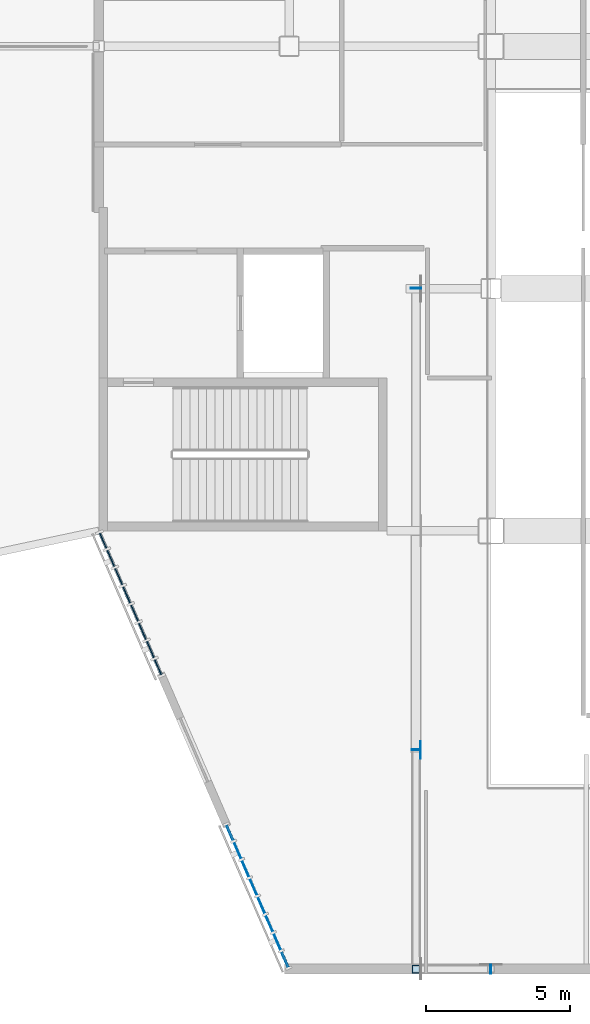
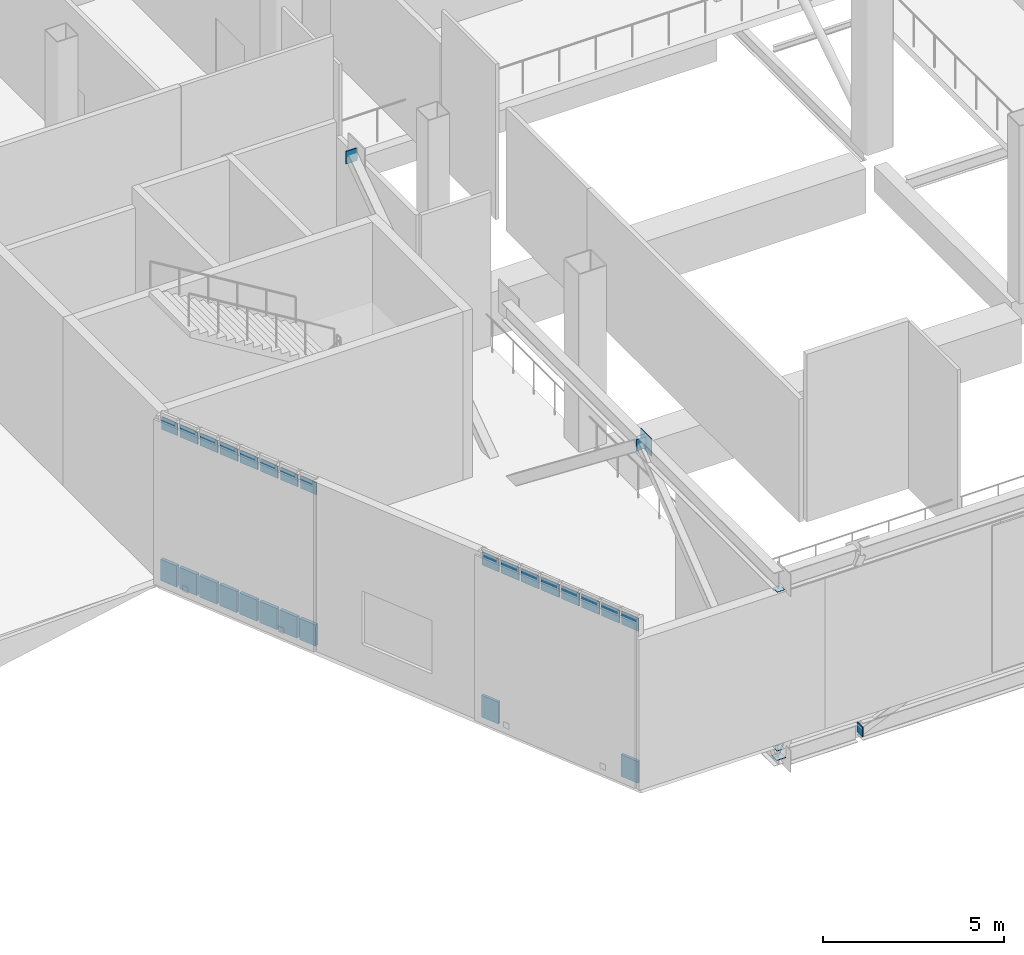
# One storey, part 89 of 135: 33 plates, 2 elements without a shape of their own.
"""IFC4 building model written with IfcOpenShell, lengths in metres."""

from ifc_helpers import new_model, si_unit, direction, frame, origin, origin_2d, place, context, subcontext, project, spatial, rectangle, extrude, material, layer, layer_set, type_object, element, aggregate, save


model = new_model("IFC4")

# Units and contexts
model_context = context("Model", 3, precision=1e-05, world=origin(), true_north=direction((0.0, 1.0)))
body_context = subcontext(model_context, "Body", "Model", "MODEL_VIEW")
ifc_project = project(units=[si_unit("LENGTHUNIT", "METRE"), si_unit("AREAUNIT", "SQUARE_METRE"), si_unit("VOLUMEUNIT", "CUBIC_METRE"), si_unit("PLANEANGLEUNIT", "RADIAN"), si_unit("MASSUNIT", "GRAM", prefix="KILO")], contexts=[model_context])

# Site, building, storey
site_placement = place(None, origin())
site = spatial("IfcSite", under=ifc_project, at=site_placement, CompositionType="ELEMENT")
building_placement = place(site_placement, origin())
building = spatial("IfcBuilding", under=site, at=building_placement, Name="Larkvane Passage Sports Hall", CompositionType="ELEMENT")
storey_placement = place(building_placement, frame((0.0, 0.0, 10.800048828125)))
storey = spatial("IfcBuildingStorey", under=building, at=storey_placement, Name="L02", CompositionType="ELEMENT", Elevation=10.800048828125)

# Curtain wall, plates
ifc_material_1 = material(Name="Thermally broken aluminium and low-E glazing", Category="aluminium")
curtain_wall_type_1 = type_object("IfcCurtainWallType", Name="CW-STICK-FOYER", PredefinedType="USERDEFINED", material=ifc_material_1)
curtain_wall_1_placement = place(storey_placement, origin())
curtain_wall_1 = element("IfcCurtainWall", 1, at=curtain_wall_1_placement, inside=storey, type_object=curtain_wall_type_1, Name="Curtain wall CW5-L02-074", ObjectType="STICK CURTAIN WALL", PredefinedType="USERDEFINED")
ifc_material_2 = material(Name="Fire-stopped shadow-box spandrel panel")
ifc_layer_1 = layer(ifc_material_2, 0.10498046875)
ifc_layer_set_1 = layer_set([ifc_layer_1], Name="Fire-stopped shadow-box spandrel panel")
plate_type_1 = type_object("IfcPlateType", Name="CWP-SPD-105", PredefinedType="CURTAIN_PANEL", material=ifc_layer_set_1)
plate_1_placement = place(storey_placement, frame((120.0537109375, 18.070068359375, 0.08984375), z_axis=(0.0, 0.0, 1.0), x_axis=(-0.398288959012, 0.917259998653, 0.0)))
plate_1 = element("IfcPlate", 2, at=plate_1_placement, type_object=plate_type_1, Name="CW-03 panel 1.1", PredefinedType="CURTAIN_PANEL", context=body_context, shape_type="SweptSolid", body=[
    extrude(rectangle(XDim=0.55419921875, YDim=0.10498046875, at=origin_2d()), origin(), (0.0, 0.0, 1.0), 0.715087890625),
])
plate_2_placement = place(storey_placement, frame((119.788330078125, 18.681396484375, 0.08984375), z_axis=(0.0, 0.0, 1.0), x_axis=(-0.398288959012, 0.917259998653, 0.0)))
plate_2 = element("IfcPlate", 3, at=plate_2_placement, type_object=plate_type_1, Name="CW-03 panel 2.1", PredefinedType="CURTAIN_PANEL", context=body_context, shape_type="SweptSolid", body=[
    extrude(rectangle(XDim=0.59912109375, YDim=0.10498046875, at=origin_2d()), origin(), (0.0, 0.0, 1.0), 0.715087890625),
])
plate_3_placement = place(storey_placement, frame((119.513916015625, 19.3134765625, 0.08984375), z_axis=(0.0, 0.0, 1.0), x_axis=(-0.398288959012, 0.917259998653, 0.0)))
plate_3 = element("IfcPlate", 4, at=plate_3_placement, type_object=plate_type_1, Name="CW-03 panel 3.1", PredefinedType="CURTAIN_PANEL", context=body_context, shape_type="SweptSolid", body=[
    extrude(rectangle(XDim=0.59912109375, YDim=0.10498046875, at=origin_2d()), origin(), (0.0, 0.0, 1.0), 0.715087890625),
])
plate_4_placement = place(storey_placement, frame((119.239501953125, 19.945556640625, 0.08984375), z_axis=(0.0, 0.0, 1.0), x_axis=(-0.398288959012, 0.917259998653, 0.0)))
plate_4 = element("IfcPlate", 5, at=plate_4_placement, type_object=plate_type_1, Name="CW-03 panel 4.1", PredefinedType="CURTAIN_PANEL", context=body_context, shape_type="SweptSolid", body=[
    extrude(rectangle(XDim=0.59912109375, YDim=0.10498046875, at=origin_2d()), origin(), (0.0, 0.0, 1.0), 0.715087890625),
])
plate_5_placement = place(storey_placement, frame((118.96484375, 20.57763671875, 0.08984375), z_axis=(0.0, 0.0, 1.0), x_axis=(-0.398288959012, 0.917259998653, 0.0)))
plate_5 = element("IfcPlate", 6, at=plate_5_placement, type_object=plate_type_1, Name="CW-03 panel 5.1", PredefinedType="CURTAIN_PANEL", context=body_context, shape_type="SweptSolid", body=[
    extrude(rectangle(XDim=0.59912109375, YDim=0.10498046875, at=origin_2d()), origin(), (0.0, 0.0, 1.0), 0.715087890625),
])
plate_6_placement = place(storey_placement, frame((118.6904296875, 21.209716796875, 0.08984375), z_axis=(0.0, 0.0, 1.0), x_axis=(-0.398288959012, 0.917259998653, 0.0)))
plate_6 = element("IfcPlate", 7, at=plate_6_placement, type_object=plate_type_1, Name="CW-03 panel 6.1", PredefinedType="CURTAIN_PANEL", context=body_context, shape_type="SweptSolid", body=[
    extrude(rectangle(XDim=0.59912109375, YDim=0.10498046875, at=origin_2d()), origin(), (0.0, 0.0, 1.0), 0.715087890625),
])
plate_7_placement = place(storey_placement, frame((118.416015625, 21.841796875, 0.08984375), z_axis=(0.0, 0.0, 1.0), x_axis=(-0.398288959012, 0.917259998653, 0.0)))
plate_7 = element("IfcPlate", 8, at=plate_7_placement, type_object=plate_type_1, Name="CW-03 panel 7.1", PredefinedType="CURTAIN_PANEL", context=body_context, shape_type="SweptSolid", body=[
    extrude(rectangle(XDim=0.59912109375, YDim=0.10498046875, at=origin_2d()), origin(), (0.0, 0.0, 1.0), 0.715087890625),
])
plate_8_placement = place(storey_placement, frame((118.150390625, 22.453369140625, 0.08984375), z_axis=(0.0, 0.0, 1.0), x_axis=(-0.398288959012, 0.917259998653, 0.0)))
plate_8 = element("IfcPlate", 9, at=plate_8_placement, type_object=plate_type_1, Name="CW-03 panel 8.1", PredefinedType="CURTAIN_PANEL", context=body_context, shape_type="SweptSolid", body=[
    extrude(rectangle(XDim=0.55419921875, YDim=0.10498046875, at=origin_2d()), origin(), (0.0, 0.0, 1.0), 0.715087890625),
])

curtain_wall_type_2 = type_object("IfcCurtainWallType", Name="CW-UNIT-VEIL", PredefinedType="USERDEFINED", material=ifc_material_1)
curtain_wall_2_placement = place(storey_placement, origin())
curtain_wall_2 = element("IfcCurtainWall", 10, at=curtain_wall_2_placement, inside=storey, type_object=curtain_wall_type_2, Name="Curtain wall CW5-L02-073", ObjectType="UNITISED CURTAIN WALL", PredefinedType="USERDEFINED")
ifc_material_3 = material(Name="Mineral-wool insulated spandrel cassette")
ifc_layer_2 = layer(ifc_material_3, 0.0849609375)
ifc_layer_set_2 = layer_set([ifc_layer_2], Name="Mineral-wool insulated spandrel cassette")
plate_type_2 = type_object("IfcPlateType", Name="CWP-SPD-85", PredefinedType="CURTAIN_PANEL", material=ifc_layer_set_2)
plate_9_placement = place(storey_placement, frame((124.455078125, 7.933837890625, 0.07470703125), z_axis=(0.0, 0.0, 1.0), x_axis=(-0.398282537261, 0.917262787053, 0.0)))
plate_9 = element("IfcPlate", 11, at=plate_9_placement, type_object=plate_type_2, Name="CW-02 panel 1.1", PredefinedType="CURTAIN_PANEL", context=body_context, shape_type="SweptSolid", body=[
    extrude(rectangle(XDim=0.577880859375, YDim=0.0849609375, at=origin_2d()), origin(), (0.0, 0.0, 1.0), 0.737548828125),
])
plate_10_placement = place(storey_placement, frame((122.544921875, 12.332763671875, 0.07470703125), z_axis=(0.0, 0.0, 1.0), x_axis=(-0.398282537261, 0.917262787053, 0.0)))
plate_10 = element("IfcPlate", 12, at=plate_10_placement, type_object=plate_type_2, Name="CW-02 panel 8.1", PredefinedType="CURTAIN_PANEL", context=body_context, shape_type="SweptSolid", body=[
    extrude(rectangle(XDim=0.577880859375, YDim=0.0849609375, at=origin_2d()), origin(), (0.0, 0.0, 1.0), 0.737548828125),
])
ifc_material_4 = material(Name="Laminated acoustic low-E glazing", Category="glass")
ifc_layer_3 = layer(ifc_material_4, 0.031982421875)
ifc_layer_set_3 = layer_set([ifc_layer_3], Name="Laminated acoustic low-E glazing")
plate_type_3 = type_object("IfcPlateType", Name="CWP-VIS-32", PredefinedType="CURTAIN_PANEL", material=ifc_layer_set_3)
plate_11_placement = place(storey_placement, frame((124.455078125, 7.933837890625, 5.1875), z_axis=(0.0, 0.0, 1.0), x_axis=(-0.398282537261, 0.917262787053, 0.0)))
plate_11 = element("IfcPlate", 13, at=plate_11_placement, type_object=plate_type_3, Name="CW-02 panel 1.3", PredefinedType="CURTAIN_PANEL", context=body_context, shape_type="SweptSolid", body=[
    extrude(rectangle(XDim=0.577880859375, YDim=0.031982421875, at=origin_2d()), origin(), (0.0, 0.0, 1.0), 0.4375),
])
plate_12_placement = place(storey_placement, frame((124.1875, 8.550048828125, 5.1875), z_axis=(0.0, 0.0, 1.0), x_axis=(-0.398282537261, 0.917262787053, 0.0)))
plate_12 = element("IfcPlate", 14, at=plate_12_placement, type_object=plate_type_3, Name="CW-02 panel 2.3", PredefinedType="CURTAIN_PANEL", context=body_context, shape_type="SweptSolid", body=[
    extrude(rectangle(XDim=0.615478515625, YDim=0.031982421875, at=origin_2d()), origin(), (0.0, 0.0, 1.0), 0.4375),
])
plate_13_placement = place(storey_placement, frame((123.91259765625, 9.183349609375, 5.1875), z_axis=(0.0, 0.0, 1.0), x_axis=(-0.398282537261, 0.917262787053, 0.0)))
plate_13 = element("IfcPlate", 15, at=plate_13_placement, type_object=plate_type_3, Name="CW-02 panel 3.3", PredefinedType="CURTAIN_PANEL", context=body_context, shape_type="SweptSolid", body=[
    extrude(rectangle(XDim=0.615478515625, YDim=0.031982421875, at=origin_2d()), origin(), (0.0, 0.0, 1.0), 0.4375),
])
plate_14_placement = place(storey_placement, frame((123.637451171875, 9.816650390625, 5.1875), z_axis=(0.0, 0.0, 1.0), x_axis=(-0.398282537261, 0.917262787053, 0.0)))
plate_14 = element("IfcPlate", 16, at=plate_14_placement, type_object=plate_type_3, Name="CW-02 panel 4.3", PredefinedType="CURTAIN_PANEL", context=body_context, shape_type="SweptSolid", body=[
    extrude(rectangle(XDim=0.615478515625, YDim=0.031982421875, at=origin_2d()), origin(), (0.0, 0.0, 1.0), 0.4375),
])
plate_15_placement = place(storey_placement, frame((123.362548828125, 10.449951171875, 5.1875), z_axis=(0.0, 0.0, 1.0), x_axis=(-0.398282537261, 0.917262787053, 0.0)))
plate_15 = element("IfcPlate", 17, at=plate_15_placement, type_object=plate_type_3, Name="CW-02 panel 5.3", PredefinedType="CURTAIN_PANEL", context=body_context, shape_type="SweptSolid", body=[
    extrude(rectangle(XDim=0.615478515625, YDim=0.031982421875, at=origin_2d()), origin(), (0.0, 0.0, 1.0), 0.4375),
])
plate_16_placement = place(storey_placement, frame((123.08740234375, 11.083251953125, 5.1875), z_axis=(0.0, 0.0, 1.0), x_axis=(-0.398282537261, 0.917262787053, 0.0)))
plate_16 = element("IfcPlate", 18, at=plate_16_placement, type_object=plate_type_3, Name="CW-02 panel 6.3", PredefinedType="CURTAIN_PANEL", context=body_context, shape_type="SweptSolid", body=[
    extrude(rectangle(XDim=0.615478515625, YDim=0.031982421875, at=origin_2d()), origin(), (0.0, 0.0, 1.0), 0.4375),
])
plate_17_placement = place(storey_placement, frame((122.8125, 11.716796875, 5.1875), z_axis=(0.0, 0.0, 1.0), x_axis=(-0.398282537261, 0.917262787053, 0.0)))
plate_17 = element("IfcPlate", 19, at=plate_17_placement, type_object=plate_type_3, Name="CW-02 panel 7.3", PredefinedType="CURTAIN_PANEL", context=body_context, shape_type="SweptSolid", body=[
    extrude(rectangle(XDim=0.615478515625, YDim=0.031982421875, at=origin_2d()), origin(), (0.0, 0.0, 1.0), 0.4375),
])
plate_18_placement = place(storey_placement, frame((122.544921875, 12.332763671875, 5.1875), z_axis=(0.0, 0.0, 1.0), x_axis=(-0.398282537261, 0.917262787053, 0.0)))
plate_18 = element("IfcPlate", 20, at=plate_18_placement, type_object=plate_type_3, Name="CW-02 panel 8.3", PredefinedType="CURTAIN_PANEL", context=body_context, shape_type="SweptSolid", body=[
    extrude(rectangle(XDim=0.577880859375, YDim=0.031982421875, at=origin_2d()), origin(), (0.0, 0.0, 1.0), 0.4375),
])
aggregate(curtain_wall_2, [plate_9, plate_11, plate_12, plate_13, plate_14, plate_15, plate_16, plate_17, plate_10, plate_18])

# Plate
ifc_material_5 = material(Name="High-impact court low-E glazing", Category="glass")
ifc_layer_4 = layer(ifc_material_5, 0.035888671875)
ifc_layer_set_4 = layer_set([ifc_layer_4], Name="High-impact court low-E glazing")
plate_type_4 = type_object("IfcPlateType", Name="CWP-VIS-36", PredefinedType="CURTAIN_PANEL", material=ifc_layer_set_4)
plate_19_placement = place(storey_placement, frame((120.0537109375, 18.070068359375, 5.175048828125), z_axis=(0.0, 0.0, 1.0), x_axis=(-0.398288959012, 0.917259998653, 0.0)))
plate_19 = element("IfcPlate", 21, at=plate_19_placement, type_object=plate_type_4, Name="CW-03 panel 1.3", PredefinedType="CURTAIN_PANEL", context=body_context, shape_type="SweptSolid", body=[
    extrude(rectangle(XDim=0.55419921875, YDim=0.035888671875, at=origin_2d()), origin(), (0.0, 0.0, 1.0), 0.4150390625),
])

plate_20_placement = place(storey_placement, frame((119.788330078125, 18.681396484375, 5.175048828125), z_axis=(0.0, 0.0, 1.0), x_axis=(-0.398288959012, 0.917259998653, 0.0)))
plate_20 = element("IfcPlate", 22, at=plate_20_placement, type_object=plate_type_4, Name="CW-03 panel 2.3", PredefinedType="CURTAIN_PANEL", context=body_context, shape_type="SweptSolid", body=[
    extrude(rectangle(XDim=0.59912109375, YDim=0.035888671875, at=origin_2d()), origin(), (0.0, 0.0, 1.0), 0.4150390625),
])

plate_21_placement = place(storey_placement, frame((119.513916015625, 19.3134765625, 5.175048828125), z_axis=(0.0, 0.0, 1.0), x_axis=(-0.398288959012, 0.917259998653, 0.0)))
plate_21 = element("IfcPlate", 23, at=plate_21_placement, type_object=plate_type_4, Name="CW-03 panel 3.3", PredefinedType="CURTAIN_PANEL", context=body_context, shape_type="SweptSolid", body=[
    extrude(rectangle(XDim=0.59912109375, YDim=0.035888671875, at=origin_2d()), origin(), (0.0, 0.0, 1.0), 0.4150390625),
])

plate_22_placement = place(storey_placement, frame((119.239501953125, 19.945556640625, 5.175048828125), z_axis=(0.0, 0.0, 1.0), x_axis=(-0.398288959012, 0.917259998653, 0.0)))
plate_22 = element("IfcPlate", 24, at=plate_22_placement, type_object=plate_type_4, Name="CW-03 panel 4.3", PredefinedType="CURTAIN_PANEL", context=body_context, shape_type="SweptSolid", body=[
    extrude(rectangle(XDim=0.59912109375, YDim=0.035888671875, at=origin_2d()), origin(), (0.0, 0.0, 1.0), 0.4150390625),
])

plate_23_placement = place(storey_placement, frame((118.96484375, 20.57763671875, 5.175048828125), z_axis=(0.0, 0.0, 1.0), x_axis=(-0.398288959012, 0.917259998653, 0.0)))
plate_23 = element("IfcPlate", 25, at=plate_23_placement, type_object=plate_type_4, Name="CW-03 panel 5.3", PredefinedType="CURTAIN_PANEL", context=body_context, shape_type="SweptSolid", body=[
    extrude(rectangle(XDim=0.59912109375, YDim=0.035888671875, at=origin_2d()), origin(), (0.0, 0.0, 1.0), 0.4150390625),
])

plate_24_placement = place(storey_placement, frame((118.6904296875, 21.209716796875, 5.175048828125), z_axis=(0.0, 0.0, 1.0), x_axis=(-0.398288959012, 0.917259998653, 0.0)))
plate_24 = element("IfcPlate", 26, at=plate_24_placement, type_object=plate_type_4, Name="CW-03 panel 6.3", PredefinedType="CURTAIN_PANEL", context=body_context, shape_type="SweptSolid", body=[
    extrude(rectangle(XDim=0.59912109375, YDim=0.035888671875, at=origin_2d()), origin(), (0.0, 0.0, 1.0), 0.4150390625),
])

plate_25_placement = place(storey_placement, frame((118.416015625, 21.841796875, 5.175048828125), z_axis=(0.0, 0.0, 1.0), x_axis=(-0.398288959012, 0.917259998653, 0.0)))
plate_25 = element("IfcPlate", 27, at=plate_25_placement, type_object=plate_type_4, Name="CW-03 panel 7.3", PredefinedType="CURTAIN_PANEL", context=body_context, shape_type="SweptSolid", body=[
    extrude(rectangle(XDim=0.59912109375, YDim=0.035888671875, at=origin_2d()), origin(), (0.0, 0.0, 1.0), 0.4150390625),
])

plate_26_placement = place(storey_placement, frame((118.150390625, 22.453369140625, 5.175048828125), z_axis=(0.0, 0.0, 1.0), x_axis=(-0.398288959012, 0.917259998653, 0.0)))
plate_26 = element("IfcPlate", 28, at=plate_26_placement, type_object=plate_type_4, Name="CW-03 panel 8.3", PredefinedType="CURTAIN_PANEL", context=body_context, shape_type="SweptSolid", body=[
    extrude(rectangle(XDim=0.55419921875, YDim=0.035888671875, at=origin_2d()), origin(), (0.0, 0.0, 1.0), 0.4150390625),
])

aggregate(curtain_wall_1, [plate_1, plate_19, plate_2, plate_20, plate_3, plate_21, plate_4, plate_22, plate_5, plate_23, plate_6, plate_24, plate_7, plate_25, plate_8, plate_26])

# Plates
ifc_material_6 = material(Name="Steel S355JR", Category="steel")
ifc_layer_5 = layer(ifc_material_6, 0.011962890625)
ifc_layer_set_5 = layer_set([ifc_layer_5], Name="Steel S355JR")
plate_type_5 = type_object("IfcPlateType", Name="PLT-CAP-12", PredefinedType="SHEET", material=ifc_layer_set_5)
plate_27_placement = place(storey_placement, frame((131.594482421875, 7.60009765625, -0.71240234375), z_axis=(0.0, 0.0, 1.0), x_axis=(0.0, 1.0, 0.0)))
element("IfcPlate", 29, at=plate_27_placement, inside=storey, type_object=plate_type_5, Name="Hollow section sealed end cap plate 0168", PredefinedType="SHEET", context=body_context, shape_type="SweptSolid", body=[
    extrude(rectangle(XDim=0.31005859375, YDim=0.028076171875, at=origin_2d()), origin(), (0.0, 0.0, 1.0), 0.33203125),
])
plate_28_placement = place(storey_placement, frame((128.99755859375, 7.60009765625, -0.5556640625), z_axis=(0.0, 0.0, 1.0), x_axis=(1.0, 0.0, 0.0)))
element("IfcPlate", 30, at=plate_28_placement, inside=storey, type_object=plate_type_5, Name="Hollow section sealed end cap plate 0199", PredefinedType="SHEET", context=body_context, shape_type="SweptSolid", body=[
    extrude(rectangle(XDim=0.2900390625, YDim=0.2900390625, at=origin_2d()), origin(), (0.0, 0.0, 1.0), 0.011962890625),
])
plate_29_placement = place(storey_placement, frame((129.0, 15.20458984375, 5.201171875), z_axis=(0.0, 0.0, 1.0), x_axis=(-1.0, 0.0, 0.0)))
element("IfcPlate", 31, at=plate_29_placement, inside=storey, type_object=plate_type_5, Name="Hollow section sealed end cap plate 0206", PredefinedType="SHEET", context=body_context, shape_type="SweptSolid", body=[
    extrude(rectangle(XDim=0.31005859375, YDim=0.028076171875, at=origin_2d()), origin(), (0.0, 0.0, 1.0), 0.376953125),
])
for number, where, z_axis, x_axis, name in (
    (32, (129.0, 7.60009765625, -0.26220703125), (0.0, 0.0, 1.0), (1.0, 0.0, 0.0), "Hollow section sealed end cap plate 0208"),
    (33, (129.0, 7.60009765625, 5.091796875), (0.0, 0.0, 1.0), (1.0, 0.0, 0.0), "Hollow section sealed end cap plate 0209"),
):
    element("IfcPlate", number, at=place(storey_placement, frame(where, z_axis=z_axis, x_axis=x_axis)), inside=storey, type_object=plate_type_5, Name=name, PredefinedType="SHEET", context=body_context, shape_type="SweptSolid", body=[
        extrude(rectangle(XDim=0.239990234375, YDim=0.239990234375, at=origin_2d()), origin(), (0.0, 0.0, 1.0), 0.011962890625),
    ])
ifc_material_7 = material(Name="Steel S460N", Category="steel")
ifc_layer_6 = layer(ifc_material_7, 0.02001953125)
ifc_layer_set_6 = layer_set([ifc_layer_6], Name="Steel S460N")
plate_type_6 = type_object("IfcPlateType", Name="PLT-CAP-20", PredefinedType="SHEET", material=ifc_layer_set_6)
plate_30_placement = place(storey_placement, frame((129.0, 31.208251953125, 5.17822265625), z_axis=(0.0, 0.0, 1.0), x_axis=(-1.0, 0.0, 0.0)))
element("IfcPlate", 34, at=plate_30_placement, inside=storey, type_object=plate_type_6, Name="Hollow section sealed end cap plate 0207", PredefinedType="SHEET", context=body_context, shape_type="SweptSolid", body=[
    extrude(rectangle(XDim=0.360107421875, YDim=0.028076171875, at=origin_2d()), origin(), (0.0, 0.0, 1.0), 0.427001953125),
])
ifc_layer_7 = layer(ifc_material_7, 0.01611328125)
ifc_layer_set_7 = layer_set([ifc_layer_7], Name="Steel S460N")
plate_type_7 = type_object("IfcPlateType", Name="PLT-GUS-16", PredefinedType="USERDEFINED", material=ifc_layer_set_7)
plate_31_placement = place(storey_placement, frame((129.157958984375, 15.199951171875, 5.0859375), z_axis=(0.0, 0.0, 1.0), x_axis=(0.0, 1.0, 0.0)))
element("IfcPlate", 35, at=plate_31_placement, inside=storey, type_object=plate_type_7, Name="Truss node gusset plate ND-2T (CT-S2A-1)", ObjectType="GUSSET PLATE", PredefinedType="USERDEFINED", context=body_context, shape_type="SweptSolid", body=[
    extrude(rectangle(XDim=0.60009765625, YDim=0.01611328125, at=origin_2d()), origin(), (0.0, 0.0, 1.0), 0.60009765625),
])

save(model, "model.ifc")
